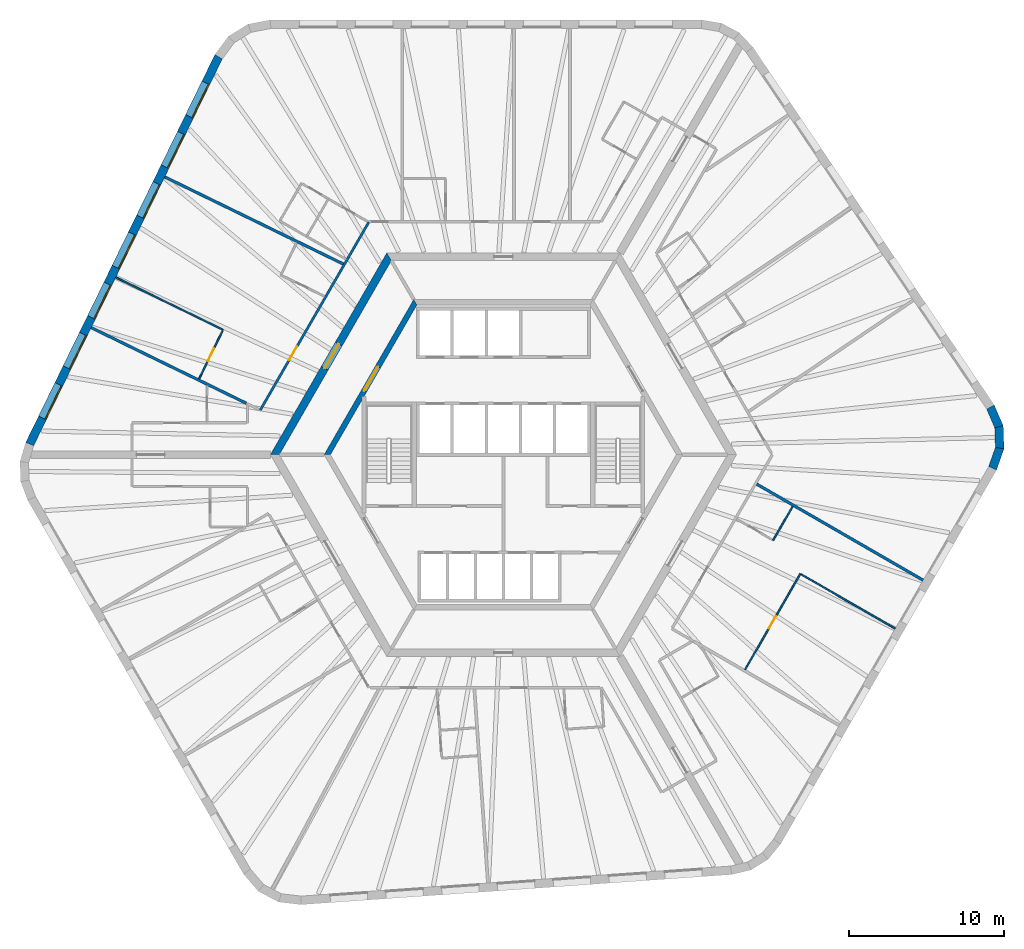
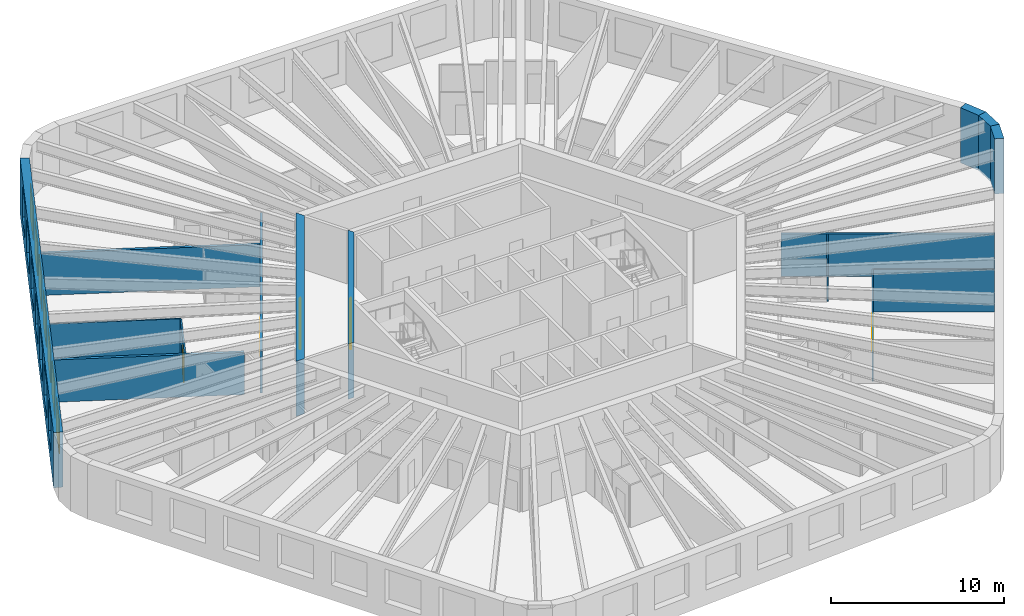
# One storey, part 6 of 10: 15 walls, 7 windows, 5 doors, 12 openings.
"""IFC4 building model written with IfcOpenShell, lengths in metres."""

from ifc_helpers import new_model, si_unit, direction, frame, frame_2d, origin, place, context, subcontext, project, spatial, polyline, rectangle, outline, extrude, material, layer, layer_set, type_object, element, fill, save


model = new_model("IFC4")

# Units and contexts
model_context = context("Model", 3, precision=1e-05, world=origin(), true_north=direction((0.0, 1.0)))
body_context = subcontext(model_context, "Body", "Model", "MODEL_VIEW")
ifc_project = project(units=[si_unit("LENGTHUNIT", "METRE"), si_unit("AREAUNIT", "SQUARE_METRE"), si_unit("VOLUMEUNIT", "CUBIC_METRE"), si_unit("PLANEANGLEUNIT", "RADIAN"), si_unit("MASSUNIT", "GRAM", prefix="KILO")], contexts=[model_context])

# Site, building, storey
site_placement = place(None, origin())
site = spatial("IfcSite", under=ifc_project, at=site_placement, CompositionType="ELEMENT")
building_placement = place(site_placement, origin())
building = spatial("IfcBuilding", under=site, at=building_placement, Name="Tarnside Tower", CompositionType="ELEMENT")
storey_placement = place(building_placement, frame((0.0, 0.0, 211.199951171875)))
storey = spatial("IfcBuildingStorey", under=building, at=storey_placement, Name="L50", CompositionType="ELEMENT", Elevation=211.199951171875)

# Wall
ifc_material_1 = material(Name="Gypsum board partition on steel studs", Category="steel")
ifc_layer_1 = layer(ifc_material_1, 0.10009765625)
ifc_layer_set_1 = layer_set([ifc_layer_1], Name="Bathroom wall 100")
wall_type_1 = type_object("IfcWallType", Name="Bathroom wall 100", PredefinedType="PARTITIONING", material=ifc_layer_set_1)
wall_1_placement = place(storey_placement, frame((18.629150390625, -3.333251953125, 0.0), z_axis=(0.0, 0.0, 1.0), x_axis=(-0.499946979623, -0.86605601295, 0.0)))
element("IfcWall", 1, at=wall_1_placement, inside=storey, type_object=wall_type_1, Name="Bathroom wall 16100", PredefinedType="PARTITIONING", context=body_context, shape_type="SweptSolid", body=[
    extrude(rectangle(XDim=2.510009765625, YDim=0.10009765625, at=frame_2d((1.2548828125, 0.0))), origin(), (0.0, 0.0, 1.0), 2.98779296875),
])

# Wall, opening, door
ifc_material_2 = material(Name="Concrete C50/60", Category="concrete")
ifc_layer_2 = layer(ifc_material_2, 0.35009765625)
ifc_layer_set_2 = layer_set([ifc_layer_2], Name="Core block wall 350 C50/60")
wall_type_2 = type_object("IfcWallType", Name="Core block wall 350 C50/60", PredefinedType="SHEAR", material=ifc_layer_set_2)
wall_2_placement = place(storey_placement, frame((-5.672607421875, 9.824951171875, -0.14990234375), z_axis=(0.0, 0.0, 1.0), x_axis=(-0.499995046907, -0.866028263435, 0.0)))
wall_2 = element("IfcWall", 2, at=wall_2_placement, inside=storey, type_object=wall_type_2, Name="L50 core block wall face 2", PredefinedType="SHEAR", context=body_context, shape_type="SweptSolid", body=[
    extrude(outline(polyline([(-0.10107421875, -0.175048828125), (11.44580078125, -0.175048828125), (11.24365234375, 0.175048828125), (0.10107421875, 0.175048828125), (-0.10107421875, -0.175048828125)])), origin(), (0.0, 0.0, 1.0), 3.89990234375),
])
opening_1_placement = place(wall_2_placement, frame((4.80126953125, 0.0, 0.14990234375)))
opening_1 = element("IfcOpeningElement", 3, at=opening_1_placement, cuts=wall_2, Name="Opening CD-LOB", PredefinedType="OPENING", context=body_context, shape_type="SweptSolid", body=[
    extrude(rectangle(XDim=1.800048828125, YDim=2.39990234375, at=frame_2d((0.89990234375, 1.199951171875))), frame((0.0, 0.18505859375, 0.0), z_axis=(0.0, -1.0, 0.0), x_axis=(1.0, 0.0, 0.0)), (0.0, 0.0, 1.0), 0.3701171875),
])
ifc_material_3 = material(Name="Steel fire door", Category="steel")
door_type_1 = type_object("IfcDoorType", Name="Lobby double door FD30S 1800x2400", OperationType="NOTDEFINED", PredefinedType="DOOR", material=ifc_material_3)
door_1_placement = place(opening_1_placement, origin())
door_1 = element("IfcDoor", 4, at=door_1_placement, inside=storey, type_object=door_type_1, Name="L50 lobby block door P1", OperationType="DOUBLE_DOOR_SINGLE_SWING", OverallHeight=2.39990234375, OverallWidth=1.800048828125, PredefinedType="DOOR", context=body_context, shape_type="SweptSolid", body=[
    extrude(rectangle(XDim=1.800048828125, YDim=2.39990234375, at=frame_2d((0.89990234375, 1.199951171875))), frame((0.0, 0.02490234375, 0.0), z_axis=(0.0, -1.0, 0.0), x_axis=(1.0, 0.0, 0.0)), (0.0, 0.0, 1.0), 0.050048828125),
])
fill(opening_1, door_1)

ifc_material_4 = material(Name="Concrete C70/85", Category="concrete")
ifc_layer_3 = layer(ifc_material_4, 0.5)
ifc_layer_set_3 = layer_set([ifc_layer_3], Name="Core wall Z2 500 C70/85")
wall_type_3 = type_object("IfcWallType", Name="Core wall Z2 500 C70/85", PredefinedType="SHEAR", material=ifc_layer_set_3)
wall_3_placement = place(storey_placement, frame((-7.361083984375, 12.75, -0.14990234375), z_axis=(0.0, 0.0, 1.0), x_axis=(-0.50000571537, -0.866022103989, 0.0)))
wall_3 = element("IfcWall", 5, at=wall_3_placement, inside=storey, type_object=wall_type_3, Name="L50 core wall face 2", PredefinedType="SHEAR", context=body_context, shape_type="SweptSolid", body=[
    extrude(outline(polyline([(-0.144287109375, -0.25), (14.86669921875, -0.25), (14.578125, 0.25), (0.144287109375, 0.25), (-0.144287109375, -0.25)])), origin(), (0.0, 0.0, 1.0), 3.89990234375),
])
opening_2_placement = place(wall_3_placement, frame((6.489990234375, 0.0, 0.14990234375)))
opening_2 = element("IfcOpeningElement", 6, at=opening_2_placement, cuts=wall_3, Name="Opening CD-LOB", PredefinedType="OPENING", context=body_context, shape_type="SweptSolid", body=[
    extrude(rectangle(XDim=1.800048828125, YDim=2.39990234375, at=frame_2d((0.89990234375, 1.199951171875))), frame((0.0, 0.260009765625, 0.0), z_axis=(0.0, -1.0, 0.0), x_axis=(1.0, 0.0, 0.0)), (0.0, 0.0, 1.0), 0.52001953125),
])
door_2_placement = place(opening_2_placement, origin())
door_2 = element("IfcDoor", 7, at=door_2_placement, inside=storey, type_object=door_type_1, Name="L50 core door P1", OperationType="DOUBLE_DOOR_SINGLE_SWING", OverallHeight=2.39990234375, OverallWidth=1.800048828125, PredefinedType="DOOR", context=body_context, shape_type="SweptSolid", body=[
    extrude(rectangle(XDim=1.800048828125, YDim=2.39990234375, at=frame_2d((0.89990234375, 1.199951171875))), frame((0.0, 0.02490234375, 0.0), z_axis=(0.0, -1.0, 0.0), x_axis=(1.0, 0.0, 0.0)), (0.0, 0.0, 1.0), 0.050048828125),
])
fill(opening_2, door_2)

ifc_layer_4 = layer(ifc_material_1, 0.14990234375)
ifc_layer_set_4 = layer_set([ifc_layer_4], Name="Corridor wall 150 EI 60")
wall_type_4 = type_object("IfcWallType", Name="Corridor wall 150 EI 60", PredefinedType="PARTITIONING", material=ifc_layer_set_4)
wall_4_placement = place(storey_placement, frame((-8.6728515625, 14.97802734375, 0.0), z_axis=(0.0, 0.0, 1.0), x_axis=(-0.500009245501, -0.866020065826, 0.0)))
wall_4 = element("IfcWall", 8, at=wall_4_placement, inside=storey, type_object=wall_type_4, Name="Corridor wall 16009", PredefinedType="PARTITIONING", context=body_context, shape_type="SweptSolid", body=[
    extrude(rectangle(XDim=13.976318359375, YDim=0.14990234375, at=frame_2d((6.98828125, 0.0))), origin(), (0.0, 0.0, 1.0), 2.98779296875),
])
opening_3_placement = place(wall_4_placement, frame((9.26025390625, 0.0, 0.0)))
opening_3 = element("IfcOpeningElement", 9, at=opening_3_placement, cuts=wall_4, Name="Opening D-E1", PredefinedType="OPENING", context=body_context, shape_type="SweptSolid", body=[
    extrude(rectangle(XDim=1.0, YDim=2.10009765625, at=frame_2d((0.5, 1.050048828125))), frame((0.0, 0.0849609375, 0.0), z_axis=(0.0, -1.0, 0.0), x_axis=(1.0, 0.0, 0.0)), (0.0, 0.0, 1.0), 0.169921875),
])
ifc_material_5 = material(Name="Timber door leaf", Category="wood")
door_type_2 = type_object("IfcDoorType", Name="Unit entrance door 1000 FD30S", OperationType="NOTDEFINED", PredefinedType="DOOR", material=ifc_material_5)
door_3_placement = place(opening_3_placement, origin())
door_3 = element("IfcDoor", 10, at=door_3_placement, inside=storey, type_object=door_type_2, Name="Unit door 16009", OperationType="SINGLE_SWING_RIGHT", OverallHeight=2.10009765625, OverallWidth=1.0, PredefinedType="DOOR", context=body_context, shape_type="SweptSolid", body=[
    extrude(rectangle(XDim=1.0, YDim=2.10009765625, at=frame_2d((0.5, 1.050048828125))), frame((0.0, 0.02490234375, 0.0), z_axis=(0.0, -1.0, 0.0), x_axis=(1.0, 0.0, 0.0)), (0.0, 0.0, 1.0), 0.050048828125),
])
fill(opening_3, door_3)

# Walls
ifc_layer_5 = layer(ifc_material_1, 0.179931640625)
ifc_layer_set_5 = layer_set([ifc_layer_5], Name="Demising wall 180 EI 60")
wall_type_5 = type_object("IfcWallType", Name="Demising wall 180 EI 60", PredefinedType="PARTITIONING", material=ifc_layer_set_5)
wall_5_placement = place(storey_placement, frame((-21.814697265625, 17.8916015625, 0.0), z_axis=(0.0, 0.0, 1.0), x_axis=(0.898799253997, -0.438360469265, 0.0)))
element("IfcWall", 11, at=wall_5_placement, inside=storey, type_object=wall_type_5, Name="Demising wall 16065", PredefinedType="PARTITIONING", context=body_context, shape_type="SweptSolid", body=[
    extrude(rectangle(XDim=12.7939453125, YDim=0.179931640625, at=frame_2d((6.39697265625, 0.0))), origin(), (0.0, 0.0, 1.0), 2.98779296875),
])
wall_6_placement = place(storey_placement, frame((-26.549072265625, 8.1845703125, 0.0), z_axis=(0.0, 0.0, 1.0), x_axis=(0.898799907013, -0.43835913034, 0.0)))
element("IfcWall", 12, at=wall_6_placement, inside=storey, type_object=wall_type_5, Name="Demising wall 16072", PredefinedType="PARTITIONING", context=body_context, shape_type="SweptSolid", body=[
    extrude(rectangle(XDim=11.111572265625, YDim=0.179931640625, at=frame_2d((5.5556640625, 0.0))), origin(), (0.0, 0.0, 1.0), 2.98779296875),
])
wall_7_placement = place(storey_placement, frame((27.03125, -8.080322265625, 0.0), z_axis=(0.0, 0.0, 1.0), x_axis=(-0.866024931941, 0.500000817256, 0.0)))
element("IfcWall", 13, at=wall_7_placement, inside=storey, type_object=wall_type_5, Name="Demising wall 16104", PredefinedType="PARTITIONING", context=body_context, shape_type="SweptSolid", body=[
    extrude(rectangle(XDim=12.375, YDim=0.179931640625, at=frame_2d((6.1875, 0.0))), origin(), (0.0, 0.0, 1.0), 2.98779296875),
])
ifc_layer_6 = layer(ifc_material_1, 0.10009765625)
ifc_layer_set_6 = layer_set([ifc_layer_6], Name="Partition 100")
wall_type_6 = type_object("IfcWallType", Name="Partition 100", PredefinedType="PARTITIONING", material=ifc_layer_set_6)
wall_8_placement = place(storey_placement, frame((-24.970947265625, 11.420166015625, 0.0), z_axis=(0.0, 0.0, 1.0), x_axis=(0.89880199998, -0.438354838951, 0.0)))
element("IfcWall", 14, at=wall_8_placement, inside=storey, type_object=wall_type_6, Name="Partition wall 16070", PredefinedType="PARTITIONING", context=body_context, shape_type="SweptSolid", body=[
    extrude(rectangle(XDim=7.69140625, YDim=0.10009765625, at=frame_2d((3.845703125, 0.0))), origin(), (0.0, 0.0, 1.0), 2.98779296875),
])

# Wall, opening, door
wall_9_placement = place(storey_placement, frame((-18.07958984375, 8.003662109375, 0.0), z_axis=(0.0, 0.0, 1.0), x_axis=(-0.438386097111, -0.898786754386, 0.0)))
wall_9 = element("IfcWall", 15, at=wall_9_placement, inside=storey, type_object=wall_type_6, Name="Partition wall 16071", PredefinedType="PARTITIONING", context=body_context, shape_type="SweptSolid", body=[
    extrude(rectangle(XDim=3.4599609375, YDim=0.10009765625, at=frame_2d((1.72998046875, 0.0))), origin(), (0.0, 0.0, 1.0), 2.98779296875),
])
opening_4_placement = place(wall_9_placement, frame((1.300048828125, 0.0, 0.0)))
opening_4 = element("IfcOpeningElement", 16, at=opening_4_placement, cuts=wall_9, Name="Opening D-I1", PredefinedType="OPENING", context=body_context, shape_type="SweptSolid", body=[
    extrude(rectangle(XDim=0.89990234375, YDim=2.10009765625, at=frame_2d((0.449951171875, 1.050048828125))), frame((0.0, 0.06005859375, 0.0), z_axis=(0.0, -1.0, 0.0), x_axis=(1.0, 0.0, 0.0)), (0.0, 0.0, 1.0), 0.1201171875),
])
door_type_3 = type_object("IfcDoorType", Name="Internal door 900", OperationType="NOTDEFINED", PredefinedType="DOOR", material=ifc_material_5)
door_4_placement = place(opening_4_placement, origin())
door_4 = element("IfcDoor", 17, at=door_4_placement, inside=storey, type_object=door_type_3, Name="Internal door 16011", OperationType="SINGLE_SWING_RIGHT", OverallHeight=2.10009765625, OverallWidth=0.89990234375, PredefinedType="DOOR", context=body_context, shape_type="SweptSolid", body=[
    extrude(rectangle(XDim=0.89990234375, YDim=2.10009765625, at=frame_2d((0.449951171875, 1.050048828125))), frame((0.0, 0.02490234375, 0.0), z_axis=(0.0, -1.0, 0.0), x_axis=(1.0, 0.0, 0.0)), (0.0, 0.0, 1.0), 0.050048828125),
])
fill(opening_4, door_4)

wall_10_placement = place(storey_placement, frame((15.57080078125, -13.83056640625, 0.0), z_axis=(0.0, 0.0, 1.0), x_axis=(0.5000167099, 0.866015756104, 0.0)))
wall_10 = element("IfcWall", 18, at=wall_10_placement, inside=storey, type_object=wall_type_6, Name="Partition wall 16102", PredefinedType="PARTITIONING", context=body_context, shape_type="SweptSolid", body=[
    extrude(rectangle(XDim=7.110107421875, YDim=0.10009765625, at=frame_2d((3.55517578125, 0.0))), origin(), (0.0, 0.0, 1.0), 2.98779296875),
])
opening_5_placement = place(wall_10_placement, frame((3.06005859375, 0.0, 0.0)))
opening_5 = element("IfcOpeningElement", 19, at=opening_5_placement, cuts=wall_10, Name="Opening D-I1", PredefinedType="OPENING", context=body_context, shape_type="SweptSolid", body=[
    extrude(rectangle(XDim=0.89990234375, YDim=2.10009765625, at=frame_2d((0.449951171875, 1.050048828125))), frame((0.0, 0.06005859375, 0.0), z_axis=(0.0, -1.0, 0.0), x_axis=(1.0, 0.0, 0.0)), (0.0, 0.0, 1.0), 0.1201171875),
])
door_5_placement = place(opening_5_placement, origin())
door_5 = element("IfcDoor", 20, at=door_5_placement, inside=storey, type_object=door_type_3, Name="Internal door 16029", OperationType="SINGLE_SWING_RIGHT", OverallHeight=2.10009765625, OverallWidth=0.89990234375, PredefinedType="DOOR", context=body_context, shape_type="SweptSolid", body=[
    extrude(rectangle(XDim=0.89990234375, YDim=2.10009765625, at=frame_2d((0.449951171875, 1.050048828125))), frame((0.0, 0.02490234375, 0.0), z_axis=(0.0, -1.0, 0.0), x_axis=(1.0, 0.0, 0.0)), (0.0, 0.0, 1.0), 0.050048828125),
])
fill(opening_5, door_5)

# Wall
wall_11_placement = place(storey_placement, frame((19.169189453125, -7.697998046875, 0.0), z_axis=(0.0, 0.0, 1.0), x_axis=(0.866028190633, -0.499995173006, 0.0)))
element("IfcWall", 21, at=wall_11_placement, inside=storey, type_object=wall_type_6, Name="Partition wall 16103", PredefinedType="PARTITIONING", context=body_context, shape_type="SweptSolid", body=[
    extrude(rectangle(XDim=7.0, YDim=0.10009765625, at=frame_2d((3.5, 0.0))), origin(), (0.0, 0.0, 1.0), 2.98779296875),
])

# Wall, openings, windows
ifc_material_6 = material(Name="Facing brick", Category="masonry")
ifc_layer_7 = layer(ifc_material_6, 0.10205078125)
ifc_material_7 = material(Name="Concrete C60/75 precast", Category="concrete")
ifc_layer_8 = layer(ifc_material_7, 0.347900390625)
ifc_material_8 = material(Name="Mineral wool insulation")
ifc_layer_9 = layer(ifc_material_8, 0.10009765625)
ifc_layer_set_7 = layer_set([ifc_layer_7, ifc_layer_8, ifc_layer_9], Name="Tube wall 550 brick faced")
wall_type_7 = type_object("IfcWallType", Name="Tube wall 550 brick faced", PredefinedType="SOLIDWALL", material=ifc_layer_set_7)
wall_12_placement = place(storey_placement, frame((-18.344970703125, 25.6328125, -0.14990234375), z_axis=(0.0, 0.0, 1.0), x_axis=(-0.43837181828, -0.898793718791, 0.0)))
wall_12 = element("IfcWall", 22, at=wall_12_placement, inside=storey, type_object=wall_type_7, Name="Tube wall L50 F2 flush 04", PredefinedType="SOLIDWALL", context=body_context, shape_type="SweptSolid", body=[
    extrude(outline(polyline([(-0.025634765625, -0.27490234375), (27.7802734375, -0.27490234375), (27.7353515625, 0.27490234375), (0.025634765625, 0.27490234375), (-0.025634765625, -0.27490234375)])), origin(), (0.0, 0.0, 1.0), 3.89990234375),
])
opening_6_placement = place(wall_12_placement, frame((1.87890625, 0.0, 1.050048828125)))
opening_6 = element("IfcOpeningElement", 23, at=opening_6_placement, cuts=wall_12, Name="Opening WH", PredefinedType="OPENING", context=body_context, shape_type="SweptSolid", body=[
    extrude(rectangle(XDim=2.39990234375, YDim=2.39990234375, at=frame_2d((1.199951171875, 1.199951171875))), frame((0.0, 0.28515625, 0.0), z_axis=(0.0, -1.0, 0.0), x_axis=(1.0, 0.0, 0.0)), (0.0, 0.0, 1.0), 0.570068359375),
])
opening_7_placement = place(wall_12_placement, frame((5.47900390625, 0.0, 1.050048828125)))
opening_7 = element("IfcOpeningElement", 24, at=opening_7_placement, cuts=wall_12, Name="Opening WH", PredefinedType="OPENING", context=body_context, shape_type="SweptSolid", body=[
    extrude(rectangle(XDim=2.39990234375, YDim=2.39990234375, at=frame_2d((1.199951171875, 1.199951171875))), frame((0.0, 0.28515625, 0.0), z_axis=(0.0, -1.0, 0.0), x_axis=(1.0, 0.0, 0.0)), (0.0, 0.0, 1.0), 0.570068359375),
])
opening_8_placement = place(wall_12_placement, frame((9.078857421875, 0.0, 1.050048828125)))
opening_8 = element("IfcOpeningElement", 25, at=opening_8_placement, cuts=wall_12, Name="Opening WH", PredefinedType="OPENING", context=body_context, shape_type="SweptSolid", body=[
    extrude(rectangle(XDim=2.39990234375, YDim=2.39990234375, at=frame_2d((1.199951171875, 1.199951171875))), frame((0.0, 0.28515625, 0.0), z_axis=(0.0, -1.0, 0.0), x_axis=(1.0, 0.0, 0.0)), (0.0, 0.0, 1.0), 0.570068359375),
])
opening_9_placement = place(wall_12_placement, frame((12.678955078125, 0.0, 1.050048828125)))
opening_9 = element("IfcOpeningElement", 26, at=opening_9_placement, cuts=wall_12, Name="Opening WH", PredefinedType="OPENING", context=body_context, shape_type="SweptSolid", body=[
    extrude(rectangle(XDim=2.39990234375, YDim=2.39990234375, at=frame_2d((1.199951171875, 1.199951171875))), frame((0.0, 0.28515625, 0.0), z_axis=(0.0, -1.0, 0.0), x_axis=(1.0, 0.0, 0.0)), (0.0, 0.0, 1.0), 0.570068359375),
])
opening_10_placement = place(wall_12_placement, frame((16.27880859375, 0.0, 1.050048828125)))
opening_10 = element("IfcOpeningElement", 27, at=opening_10_placement, cuts=wall_12, Name="Opening WH", PredefinedType="OPENING", context=body_context, shape_type="SweptSolid", body=[
    extrude(rectangle(XDim=2.39990234375, YDim=2.39990234375, at=frame_2d((1.199951171875, 1.199951171875))), frame((0.0, 0.28515625, 0.0), z_axis=(0.0, -1.0, 0.0), x_axis=(1.0, 0.0, 0.0)), (0.0, 0.0, 1.0), 0.570068359375),
])
opening_11_placement = place(wall_12_placement, frame((19.87890625, 0.0, 1.050048828125)))
opening_11 = element("IfcOpeningElement", 28, at=opening_11_placement, cuts=wall_12, Name="Opening WH", PredefinedType="OPENING", context=body_context, shape_type="SweptSolid", body=[
    extrude(rectangle(XDim=2.39990234375, YDim=2.39990234375, at=frame_2d((1.199951171875, 1.199951171875))), frame((0.0, 0.28515625, 0.0), z_axis=(0.0, -1.0, 0.0), x_axis=(1.0, 0.0, 0.0)), (0.0, 0.0, 1.0), 0.570068359375),
])
opening_12_placement = place(wall_12_placement, frame((23.47900390625, 0.0, 1.050048828125)))
opening_12 = element("IfcOpeningElement", 29, at=opening_12_placement, cuts=wall_12, Name="Opening WH", PredefinedType="OPENING", context=body_context, shape_type="SweptSolid", body=[
    extrude(rectangle(XDim=2.39990234375, YDim=2.39990234375, at=frame_2d((1.199951171875, 1.199951171875))), frame((0.0, 0.28515625, 0.0), z_axis=(0.0, -1.0, 0.0), x_axis=(1.0, 0.0, 0.0)), (0.0, 0.0, 1.0), 0.570068359375),
])
ifc_material_9 = material(Name="Aluminium-framed double glazing", Category="aluminium")
window_type = type_object("IfcWindowType", Name="Hotel window 2400 x 2400", PartitioningType="DOUBLE_PANEL_VERTICAL", PredefinedType="WINDOW", material=ifc_material_9)
window_1_placement = place(opening_6_placement, frame((0.0, 0.205078125, 0.0)))
window_1 = element("IfcWindow", 30, at=window_1_placement, inside=storey, type_object=window_type, Name="E.WN.L50.F2.00", OverallHeight=2.39990234375, OverallWidth=2.39990234375, PartitioningType="DOUBLE_PANEL_VERTICAL", PredefinedType="WINDOW", context=body_context, shape_type="SweptSolid", body=[
    extrude(rectangle(XDim=2.39990234375, YDim=2.39990234375, at=frame_2d((1.199951171875, 1.199951171875))), frame((0.0, 0.030029296875, 0.0), z_axis=(0.0, -1.0, 0.0), x_axis=(1.0, 0.0, 0.0)), (0.0, 0.0, 1.0), 0.06005859375),
])
fill(opening_6, window_1)
window_2_placement = place(opening_7_placement, frame((0.0, 0.205078125, 0.0)))
window_2 = element("IfcWindow", 31, at=window_2_placement, inside=storey, type_object=window_type, Name="E.WN.L50.F2.01", OverallHeight=2.39990234375, OverallWidth=2.39990234375, PartitioningType="DOUBLE_PANEL_VERTICAL", PredefinedType="WINDOW", context=body_context, shape_type="SweptSolid", body=[
    extrude(rectangle(XDim=2.39990234375, YDim=2.39990234375, at=frame_2d((1.199951171875, 1.199951171875))), frame((0.0, 0.030029296875, 0.0), z_axis=(0.0, -1.0, 0.0), x_axis=(1.0, 0.0, 0.0)), (0.0, 0.0, 1.0), 0.06005859375),
])
fill(opening_7, window_2)
window_3_placement = place(opening_8_placement, frame((0.0, 0.205078125, 0.0)))
window_3 = element("IfcWindow", 32, at=window_3_placement, inside=storey, type_object=window_type, Name="E.WN.L50.F2.02", OverallHeight=2.39990234375, OverallWidth=2.39990234375, PartitioningType="DOUBLE_PANEL_VERTICAL", PredefinedType="WINDOW", context=body_context, shape_type="SweptSolid", body=[
    extrude(rectangle(XDim=2.39990234375, YDim=2.39990234375, at=frame_2d((1.199951171875, 1.199951171875))), frame((0.0, 0.030029296875, 0.0), z_axis=(0.0, -1.0, 0.0), x_axis=(1.0, 0.0, 0.0)), (0.0, 0.0, 1.0), 0.06005859375),
])
fill(opening_8, window_3)
window_4_placement = place(opening_9_placement, frame((0.0, 0.205078125, 0.0)))
window_4 = element("IfcWindow", 33, at=window_4_placement, inside=storey, type_object=window_type, Name="E.WN.L50.F2.03", OverallHeight=2.39990234375, OverallWidth=2.39990234375, PartitioningType="DOUBLE_PANEL_VERTICAL", PredefinedType="WINDOW", context=body_context, shape_type="SweptSolid", body=[
    extrude(rectangle(XDim=2.39990234375, YDim=2.39990234375, at=frame_2d((1.199951171875, 1.199951171875))), frame((0.0, 0.030029296875, 0.0), z_axis=(0.0, -1.0, 0.0), x_axis=(1.0, 0.0, 0.0)), (0.0, 0.0, 1.0), 0.06005859375),
])
fill(opening_9, window_4)
window_5_placement = place(opening_10_placement, frame((0.0, 0.205078125, 0.0)))
window_5 = element("IfcWindow", 34, at=window_5_placement, inside=storey, type_object=window_type, Name="E.WN.L50.F2.04", OverallHeight=2.39990234375, OverallWidth=2.39990234375, PartitioningType="DOUBLE_PANEL_VERTICAL", PredefinedType="WINDOW", context=body_context, shape_type="SweptSolid", body=[
    extrude(rectangle(XDim=2.39990234375, YDim=2.39990234375, at=frame_2d((1.199951171875, 1.199951171875))), frame((0.0, 0.030029296875, 0.0), z_axis=(0.0, -1.0, 0.0), x_axis=(1.0, 0.0, 0.0)), (0.0, 0.0, 1.0), 0.06005859375),
])
fill(opening_10, window_5)
window_6_placement = place(opening_11_placement, frame((0.0, 0.205078125, 0.0)))
window_6 = element("IfcWindow", 35, at=window_6_placement, inside=storey, type_object=window_type, Name="E.WN.L50.F2.05", OverallHeight=2.39990234375, OverallWidth=2.39990234375, PartitioningType="DOUBLE_PANEL_VERTICAL", PredefinedType="WINDOW", context=body_context, shape_type="SweptSolid", body=[
    extrude(rectangle(XDim=2.39990234375, YDim=2.39990234375, at=frame_2d((1.199951171875, 1.199951171875))), frame((0.0, 0.030029296875, 0.0), z_axis=(0.0, -1.0, 0.0), x_axis=(1.0, 0.0, 0.0)), (0.0, 0.0, 1.0), 0.06005859375),
])
fill(opening_11, window_6)
window_7_placement = place(opening_12_placement, frame((0.0, 0.205078125, 0.0)))
window_7 = element("IfcWindow", 36, at=window_7_placement, inside=storey, type_object=window_type, Name="E.WN.L50.F2.06", OverallHeight=2.39990234375, OverallWidth=2.39990234375, PartitioningType="DOUBLE_PANEL_VERTICAL", PredefinedType="WINDOW", context=body_context, shape_type="SweptSolid", body=[
    extrude(rectangle(XDim=2.39990234375, YDim=2.39990234375, at=frame_2d((1.199951171875, 1.199951171875))), frame((0.0, 0.030029296875, 0.0), z_axis=(0.0, -1.0, 0.0), x_axis=(1.0, 0.0, 0.0)), (0.0, 0.0, 1.0), 0.06005859375),
])
fill(opening_12, window_7)

# Walls
wall_13_placement = place(storey_placement, frame((31.509033203125, -0.874755859375, -0.14990234375), z_axis=(0.0, 0.0, 1.0), x_axis=(0.33111537203, 0.943590276765, 0.0)))
element("IfcWall", 37, at=wall_13_placement, inside=storey, type_object=wall_type_7, Name="Tube wall L50 F5 chord 17", PredefinedType="SOLIDWALL", context=body_context, shape_type="SweptSolid", body=[
    extrude(outline(polyline([(-0.025634765625, -0.27490234375), (1.4306640625, -0.27490234375), (1.3271484375, 0.27490234375), (0.025634765625, 0.27490234375), (-0.025634765625, -0.27490234375)])), origin(), (0.0, 0.0, 1.0), 3.89990234375),
])
wall_14_placement = place(storey_placement, frame((31.965576171875, 0.42626953125, -0.14990234375), z_axis=(0.0, 0.0, 1.0), x_axis=(-0.034876908462, 0.999391615562, 0.0)))
element("IfcWall", 38, at=wall_14_placement, inside=storey, type_object=wall_type_7, Name="Tube wall L50 F5 chord 18", PredefinedType="SOLIDWALL", context=body_context, shape_type="SweptSolid", body=[
    extrude(outline(polyline([(-0.0517578125, -0.27490234375), (1.4306640625, -0.27490234375), (1.3271484375, 0.27490234375), (0.0517578125, 0.27490234375), (-0.0517578125, -0.27490234375)])), origin(), (0.0, 0.0, 1.0), 3.89990234375),
])
wall_15_placement = place(storey_placement, frame((31.91748046875, 1.804443359375, -0.14990234375), z_axis=(0.0, 0.0, 1.0), x_axis=(-0.396225741392, 0.918153125496, 0.0)))
element("IfcWall", 39, at=wall_15_placement, inside=storey, type_object=wall_type_7, Name="Tube wall L50 F5 chord 19", PredefinedType="SOLIDWALL", context=body_context, shape_type="SweptSolid", body=[
    extrude(outline(polyline([(-0.0517578125, -0.27490234375), (1.404541015625, -0.27490234375), (1.353271484375, 0.27490234375), (0.0517578125, 0.27490234375), (-0.0517578125, -0.27490234375)])), origin(), (0.0, 0.0, 1.0), 3.89990234375),
])

save(model, "model.ifc")
